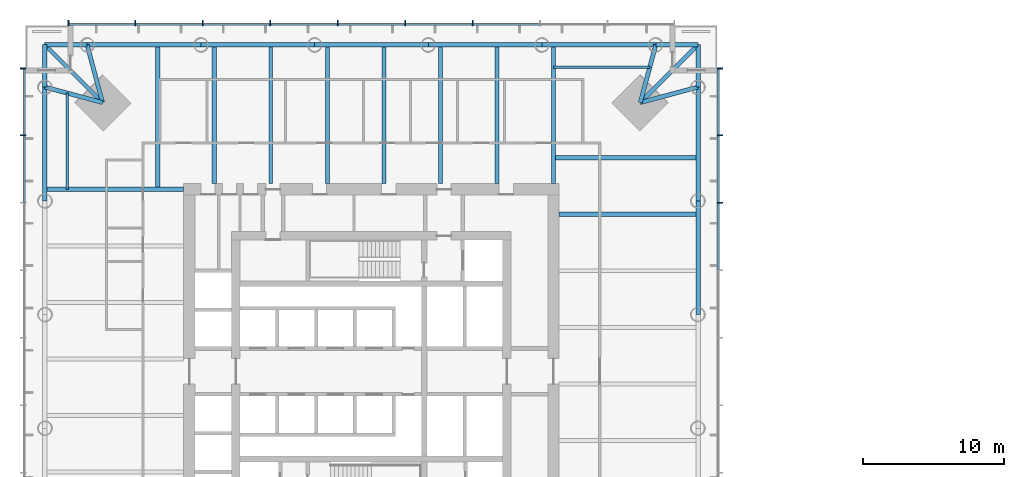
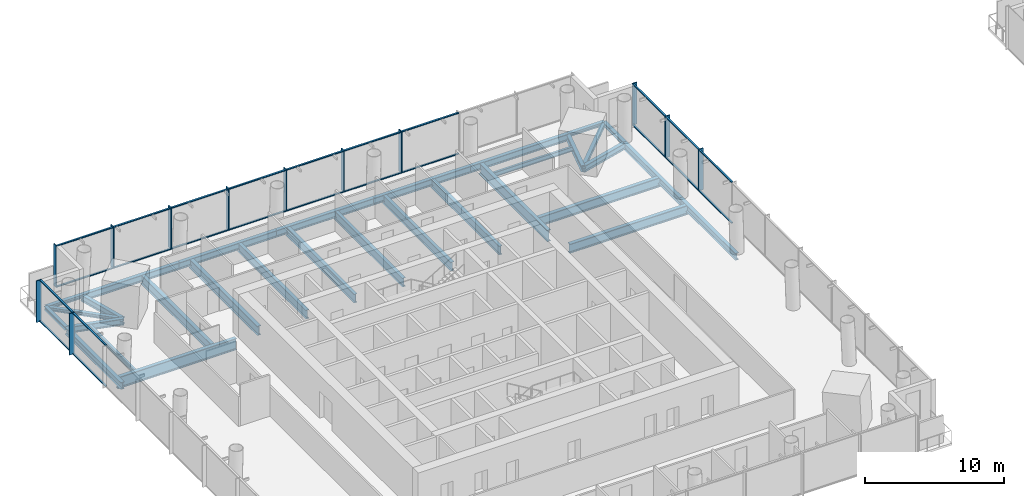
# One storey, part 4 of 21: 36 members, 31 beams, 3 elements without a shape of their own.
"""IFC4 building model written with IfcOpenShell, lengths in metres."""

import ifcopenshell
import ifcopenshell.guid

model = None  # the IFC model being written
_history = None  # IfcOwnerHistory: only IFC2X3 demands one
_inside = {}  # id of a spatial element -> (the spatial element, [elements in it])
_under = {}  # id of a project, library or spatial element -> (it, [spatial elements below it])
_declared = {}  # id of a project -> (the project, [libraries it declares])
_typed = {}  # id of a type object -> (the type object, [elements of that type])
_made_of = {}  # id of a material, layer set ... -> (it, [elements and type objects made of it])


def new_model(schema):
    """Start an empty IFC model of exactly this schema.

    Asked for "IFC4X3", IfcOpenShell would pick the latest addendum, in which some entities
    have other attributes; the version numbers below select the first issue.
    IFC2X3 requires an IfcOwnerHistory on every rooted entity: one is made here for all.
    """
    global model, _history
    if schema == "IFC4X3":
        model = ifcopenshell.file(schema_version=(4, 3, 0, 0))
    else:
        model = ifcopenshell.file(schema=schema)
    _inside.clear()
    _under.clear()
    _declared.clear()
    _typed.clear()
    _made_of.clear()
    _history = None
    if model.schema == "IFC2X3":
        org = make("IfcOrganization", Name="unknown")
        user = make(
            "IfcPersonAndOrganization",
            ThePerson=make("IfcPerson", FamilyName="unknown"),
            TheOrganization=org,
        )
        app = make(
            "IfcApplication",
            ApplicationDeveloper=org,
            Version="unknown",
            ApplicationFullName="unknown",
            ApplicationIdentifier="unknown",
        )
        _history = make(
            "IfcOwnerHistory",
            OwningUser=user,
            OwningApplication=app,
            ChangeAction="ADDED",
            CreationDate=0,
        )
    return model


def make(cls, **values):
    """One entity of the class cls with the attributes given. An attribute that is None is left unset."""
    return model.create_entity(
        cls, **{name: value for name, value in values.items() if value is not None}
    )


def rooted(cls, **values):
    """An entity with a GlobalId (a new one), such as an element, a storey or a relation."""
    return make(cls, GlobalId=ifcopenshell.guid.new(), OwnerHistory=_history, **values)


def si_unit(unit_type, name, prefix=None):
    """IfcSIUnit, for example si_unit("LENGTHUNIT", "METRE", prefix="MILLI")."""
    return make("IfcSIUnit", UnitType=unit_type, Prefix=prefix, Name=name)


def assignment(units):
    """IfcUnitAssignment: the units of a project."""
    return None if units is None else make("IfcUnitAssignment", Units=units)


def point(xyz):
    """IfcCartesianPoint."""
    return None if xyz is None else make("IfcCartesianPoint", Coordinates=xyz)


def direction(xyz):
    """IfcDirection."""
    return None if xyz is None else make("IfcDirection", DirectionRatios=xyz)


def frame(location, z_axis=None, x_axis=None):
    """IfcAxis2Placement3D, a coordinate frame: its origin and axes. An axis left out is left unset."""
    return make(
        "IfcAxis2Placement3D",
        Location=point(location),
        Axis=direction(z_axis),
        RefDirection=direction(x_axis),
    )


def frame_2d(location, x_axis=None):
    """IfcAxis2Placement2D, a coordinate frame in the plane: its origin and x axis."""
    return make(
        "IfcAxis2Placement2D", Location=point(location), RefDirection=direction(x_axis)
    )


def origin():
    """The frame at (0, 0, 0) with its axes left unset."""
    return frame((0.0, 0.0, 0.0))


def origin_2d():
    """The frame at (0, 0) in the plane with its x axis left unset."""
    return frame_2d((0.0, 0.0))


def place(relative_to, where):
    """IfcLocalPlacement: puts the frame where relative to a parent placement (None: the world)."""
    return make(
        "IfcLocalPlacement", PlacementRelTo=relative_to, RelativePlacement=where
    )


def context(
    kind, dimensions, precision=None, world=None, true_north=None, identifier=None
):
    """IfcGeometricRepresentationContext, for example the 3D "Model" context."""
    return make(
        "IfcGeometricRepresentationContext",
        ContextIdentifier=identifier,
        ContextType=kind,
        CoordinateSpaceDimension=dimensions,
        Precision=precision,
        WorldCoordinateSystem=world,
        TrueNorth=true_north,
    )


def subcontext(parent, identifier, kind, view, scale=None):
    """IfcGeometricRepresentationSubContext, for example "Body" below "Model"."""
    return make(
        "IfcGeometricRepresentationSubContext",
        ContextIdentifier=identifier,
        ContextType=kind,
        ParentContext=parent,
        TargetScale=scale,
        TargetView=view,
    )


def project(units=None, contexts=None):
    """IfcProject with its units and contexts."""
    return rooted(
        "IfcProject",
        Name="project",
        RepresentationContexts=contexts,
        UnitsInContext=assignment(units),
    )


def spatial(cls, under=None, at=None, **own):
    """A site, building, storey or space (cls), placed at a placement, below another one or the project."""
    s = rooted(cls, ObjectPlacement=at, **own)
    if under is not None:
        _under.setdefault(under.id(), (under, []))[1].append(s)
    return s


def profile(cls, at=None, kind="AREA", **sizes):
    """A parametric profile (cls). Its sizes go by their IFC names, for example OverallWidth=200.0."""
    return make(cls, ProfileType=kind, Position=at, **sizes)


def rectangle(**sizes):
    """IfcRectangleProfileDef."""
    return profile("IfcRectangleProfileDef", **sizes)


def i_section(**sizes):
    """IfcIShapeProfileDef."""
    return profile("IfcIShapeProfileDef", **sizes)


def extrude(swept, where, along, depth):
    """IfcExtrudedAreaSolid: the profile swept, set in the frame where, extruded along a direction by depth."""
    return make(
        "IfcExtrudedAreaSolid",
        SweptArea=swept,
        Position=where,
        ExtrudedDirection=direction(along),
        Depth=depth,
    )


def shape(context_of_items, identifier, shape_type, items):
    """IfcShapeRepresentation: the items that make up one representation, for example the "Body"."""
    return make(
        "IfcShapeRepresentation",
        ContextOfItems=context_of_items,
        RepresentationIdentifier=identifier,
        RepresentationType=shape_type,
        Items=items,
    )


def material(Name=None, Category=None):
    """IfcMaterial."""
    return make("IfcMaterial", Name=Name, Category=Category)


def material_profile(
    of_material, cross_section, Name=None, Category=None, Priority=None
):
    """IfcMaterialProfile: a cross section and its material."""
    return make(
        "IfcMaterialProfile",
        Name=Name,
        Material=of_material,
        Profile=cross_section,
        Priority=Priority,
        Category=Category,
    )


def profile_set(profiles, Name=None, composite=None):
    """IfcMaterialProfileSet."""
    return make(
        "IfcMaterialProfileSet",
        Name=Name,
        MaterialProfiles=profiles,
        CompositeProfile=composite,
    )


def made_of(thing, what):
    """Note that an element or type object is made of a material, layer set ...; save() writes the relation."""
    if what is not None:
        _made_of.setdefault(what.id(), (what, []))[1].append(thing)
    return thing


def type_object(cls, material=None, **own):
    """A type object (cls), such as IfcWallType, which elements share."""
    return made_of(rooted(cls, **own), material)


def element(
    cls,
    number,
    at=None,
    inside=None,
    cuts=None,
    type_object=None,
    material=None,
    context=None,
    identifier="Body",
    shape_type=None,
    held_by="IfcProductDefinitionShape",
    body=None,
    shapes=None,
    **own,
):
    """One element of the class cls, such as IfcWall. Its Tag is "e" and its number.

    at: its placement. inside: the storey or other place that contains it. cuts: it is an
    opening in that element (IfcRelVoidsElement). A single representation is given by context,
    identifier, shape_type and body (its items); several are given by shapes. held_by: the class
    of the entity that holds the representations. save() writes the other relations.
    """
    e = rooted(cls, Tag="e%d" % number, ObjectPlacement=at, **own)
    if body is not None:
        shapes = [shape(context, identifier, shape_type, body)]
    if shapes is not None:
        e.Representation = make(held_by, Representations=shapes)
    if inside is not None:
        _inside.setdefault(inside.id(), (inside, []))[1].append(e)
    if cuts is not None:
        rooted(
            "IfcRelVoidsElement", RelatingBuildingElement=cuts, RelatedOpeningElement=e
        )
    if type_object is not None:
        _typed.setdefault(type_object.id(), (type_object, []))[1].append(e)
    return made_of(e, material)


def aggregate(whole, parts):
    """IfcRelAggregates: a whole, such as a stair, and the parts it consists of."""
    return rooted("IfcRelAggregates", RelatingObject=whole, RelatedObjects=parts)


def save(model, path):
    """Write the relations noted so far, then the file.

    IfcRelAggregates (storeys below a building ...), IfcRelContainedInSpatialStructure (elements
    in a storey), IfcRelDefinesByType, IfcRelAssociatesMaterial and IfcRelDeclares: one each for
    every whole, place, type object, material and project.
    """
    for whole, parts in _under.values():
        aggregate(whole, parts)
    for where, things in _inside.values():
        rooted(
            "IfcRelContainedInSpatialStructure",
            RelatedElements=things,
            RelatingStructure=where,
        )
    for kind, things in _typed.values():
        rooted("IfcRelDefinesByType", RelatedObjects=things, RelatingType=kind)
    for what, things in _made_of.values():
        rooted("IfcRelAssociatesMaterial", RelatedObjects=things, RelatingMaterial=what)
    for by, libraries in _declared.values():
        rooted("IfcRelDeclares", RelatingContext=by, RelatedDefinitions=libraries)
    model.write(path)


model = new_model("IFC4")

# Units and contexts
model_context = context("Model", 3, precision=1e-05, world=origin(), true_north=direction((0.0, 1.0)))
body_context = subcontext(model_context, "Body", "Model", "MODEL_VIEW")
ifc_project = project(units=[si_unit("LENGTHUNIT", "METRE"), si_unit("AREAUNIT", "SQUARE_METRE"), si_unit("VOLUMEUNIT", "CUBIC_METRE"), si_unit("PLANEANGLEUNIT", "RADIAN"), si_unit("MASSUNIT", "GRAM", prefix="KILO")], contexts=[model_context])

# Site, building, storey
site_placement = place(None, origin())
site = spatial("IfcSite", under=ifc_project, at=site_placement, CompositionType="ELEMENT")
building_placement = place(site_placement, origin())
building = spatial("IfcBuilding", under=site, at=building_placement, Name="Ostroluk Exchange", CompositionType="ELEMENT")
storey_placement = place(building_placement, frame((0.0, 0.0, 47.60009765625)))
storey = spatial("IfcBuildingStorey", under=building, at=storey_placement, Name="L11", CompositionType="ELEMENT", Elevation=47.60009765625)

# Beams
ifc_material_1 = material(Name="Steel S355", Category="steel")
ifc_material_profile_1 = material_profile(ifc_material_1, i_section(OverallWidth=0.300048828125, OverallDepth=0.300048828125, WebThickness=0.010986328125, FlangeThickness=0.01904296875, FilletRadius=0.027099609375, at=origin_2d()), Name="HEB 300")
ifc_profile_set_1 = profile_set([ifc_material_profile_1], Name="Steel S355")
beam_type_1 = type_object("IfcBeamType", Name="Balcony beam HEB 300", PredefinedType="BEAM", material=ifc_profile_set_1)
for number, where, z_axis, x_axis, name in (
    (1, (68.14990234375, 66.14990234375, -0.330078125), (0.0, 1.0, 0.0), (-1.0, 0.0, 0.0), "T1 east balcony beam a"),
    (2, (65.14990234375, 69.14990234375, -0.330078125), (1.0, 0.0, 0.0), (0.0, 1.0, 0.0), "T1 east balcony beam b"),
):
    element("IfcBeam", number, at=place(storey_placement, frame(where, z_axis=z_axis, x_axis=x_axis)), inside=storey, type_object=beam_type_1, Name=name, PredefinedType="BEAM", context=body_context, shape_type="SweptSolid", body=[
        extrude(i_section(OverallWidth=0.300048828125, OverallDepth=0.300048828125, WebThickness=0.010986328125, FlangeThickness=0.01904296875, FilletRadius=0.027099609375, at=origin_2d()), origin(), (0.0, 0.0, 1.0), 3.0),
    ])
beam_1_placement = place(storey_placement, frame((64.050048828125, 65.050048828125, -0.330078125), z_axis=(0.707106781187, 0.707106781187, 0.0), x_axis=(-0.707106781187, 0.707106781187, 0.0)))
element("IfcBeam", 3, at=beam_1_placement, inside=storey, type_object=beam_type_1, Name="T1 east balcony beam c", PredefinedType="BEAM", context=body_context, shape_type="SweptSolid", body=[
    extrude(i_section(OverallWidth=0.300048828125, OverallDepth=0.300048828125, WebThickness=0.010986328125, FlangeThickness=0.01904296875, FilletRadius=0.027099609375, at=origin_2d()), origin(), (0.0, 0.0, 1.0), 5.798095703125),
])
for number, where, z_axis, x_axis, name in (
    (4, (24.85009765625, 69.14990234375, -0.330078125), (-1.0, 0.0, 0.0), (0.0, -1.0, 0.0), "T1 north balcony beam a"),
    (5, (21.85009765625, 66.14990234375, -0.330078125), (0.0, 1.0, 0.0), (-1.0, 0.0, 0.0), "T1 north balcony beam b"),
):
    element("IfcBeam", number, at=place(storey_placement, frame(where, z_axis=z_axis, x_axis=x_axis)), inside=storey, type_object=beam_type_1, Name=name, PredefinedType="BEAM", context=body_context, shape_type="SweptSolid", body=[
        extrude(i_section(OverallWidth=0.300048828125, OverallDepth=0.300048828125, WebThickness=0.010986328125, FlangeThickness=0.01904296875, FilletRadius=0.027099609375, at=origin_2d()), origin(), (0.0, 0.0, 1.0), 3.0),
    ])
beam_2_placement = place(storey_placement, frame((25.949951171875, 65.050048828125, -0.330078125), z_axis=(-0.707106781187, 0.707106781187, 0.0), x_axis=(-0.707106781187, -0.707106781187, 0.0)))
element("IfcBeam", 6, at=beam_2_placement, inside=storey, type_object=beam_type_1, Name="T1 north balcony beam c", PredefinedType="BEAM", context=body_context, shape_type="SweptSolid", body=[
    extrude(i_section(OverallWidth=0.300048828125, OverallDepth=0.300048828125, WebThickness=0.010986328125, FlangeThickness=0.01904296875, FilletRadius=0.027099609375, at=origin_2d()), origin(), (0.0, 0.0, 1.0), 5.798095703125),
])
ifc_material_2 = material(Name="Steel S355", Category="steel")
ifc_material_profile_2 = material_profile(ifc_material_2, i_section(OverallWidth=0.300048828125, OverallDepth=0.550048828125, WebThickness=0.014892578125, FlangeThickness=0.029052734375, FilletRadius=0.027099609375, at=origin_2d()), Name="HEB 550")
ifc_profile_set_2 = profile_set([ifc_material_profile_2], Name="Steel S355")
beam_type_2 = type_object("IfcBeamType", Name="Corner edge beam HEB 550", PredefinedType="SPANDREL", material=ifc_profile_set_2)
for number, where, z_axis, x_axis, name in (
    (7, (64.050048828125, 65.050048828125, -0.455078125), (0.965849156574, 0.259105011038, 0.0), (-0.259105011038, 0.965849156574, 0.0), "T1 east corner edge beam a"),
    (8, (64.050048828125, 65.050048828125, -0.455078125), (0.259105011038, 0.965849156574, 0.0), (-0.965849156574, 0.259105011038, 0.0), "T1 east corner edge beam b"),
    (9, (25.949951171875, 65.050048828125, -0.455078125), (-0.259105011038, 0.965849156574, 0.0), (-0.965849156574, -0.259105011038, 0.0), "T1 north corner edge beam a"),
    (10, (25.949951171875, 65.050048828125, -0.455078125), (-0.965849156574, 0.259105011038, 0.0), (-0.259105011038, -0.965849156574, 0.0), "T1 north corner edge beam b"),
):
    element("IfcBeam", number, at=place(storey_placement, frame(where, z_axis=z_axis, x_axis=x_axis)), inside=storey, type_object=beam_type_2, Name=name, PredefinedType="SPANDREL", context=body_context, shape_type="SweptSolid", body=[
        extrude(i_section(OverallWidth=0.300048828125, OverallDepth=0.550048828125, WebThickness=0.014892578125, FlangeThickness=0.029052734375, FilletRadius=0.027099609375, at=origin_2d()), origin(), (0.0, 0.0, 1.0), 4.244873046875),
    ])
ifc_material_3 = material(Name="Steel S355", Category="steel")
ifc_material_profile_3 = material_profile(ifc_material_3, i_section(OverallWidth=0.302978515625, OverallDepth=0.81396484375, WebThickness=0.02099609375, FlangeThickness=0.0400390625, FilletRadius=0.030029296875, at=origin_2d()), Name="HEM 800")
ifc_profile_set_3 = profile_set([ifc_material_profile_3], Name="Steel S355")
beam_type_3 = type_object("IfcBeamType", Name="Floor beam HEM 800", PredefinedType="BEAM", material=ifc_profile_set_3)
beam_3_placement = place(storey_placement, frame((58.300048828125, 57.13330078125, -0.587158203125), z_axis=(1.0, 0.0, 0.0), x_axis=(0.0, 1.0, 0.0)))
element("IfcBeam", 11, at=beam_3_placement, inside=storey, type_object=beam_type_3, Name="T1 east floor beam 6", PredefinedType="BEAM", context=body_context, shape_type="SweptSolid", body=[
    extrude(i_section(OverallWidth=0.302978515625, OverallDepth=0.81396484375, WebThickness=0.02099609375, FlangeThickness=0.0400390625, FilletRadius=0.030029296875, at=origin_2d()), origin(), (0.0, 0.0, 1.0), 9.849853515625),
])
beam_4_placement = place(storey_placement, frame((57.89990234375, 61.138916015625, -0.587158203125), z_axis=(1.0, 0.0, 0.0), x_axis=(0.0, 1.0, 0.0)))
element("IfcBeam", 12, at=beam_4_placement, inside=storey, type_object=beam_type_3, Name="T1 east floor beam 7", PredefinedType="BEAM", context=body_context, shape_type="SweptSolid", body=[
    extrude(i_section(OverallWidth=0.302978515625, OverallDepth=0.81396484375, WebThickness=0.02099609375, FlangeThickness=0.0400390625, FilletRadius=0.030029296875, at=origin_2d()), origin(), (0.0, 0.0, 1.0), 10.25),
])
beam_5_placement = place(storey_placement, frame((33.86669921875, 59.300048828125, -0.587158203125), z_axis=(0.0, 1.0, 0.0), x_axis=(-1.0, 0.0, 0.0)))
element("IfcBeam", 13, at=beam_5_placement, inside=storey, type_object=beam_type_3, Name="T1 north floor beam 6", PredefinedType="BEAM", context=body_context, shape_type="SweptSolid", body=[
    extrude(i_section(OverallWidth=0.302978515625, OverallDepth=0.81396484375, WebThickness=0.02099609375, FlangeThickness=0.0400390625, FilletRadius=0.030029296875, at=origin_2d()), origin(), (0.0, 0.0, 1.0), 9.849853515625),
])
beam_6_placement = place(storey_placement, frame((29.861083984375, 58.89990234375, -0.587158203125), z_axis=(0.0, 1.0, 0.0), x_axis=(-1.0, 0.0, 0.0)))
element("IfcBeam", 14, at=beam_6_placement, inside=storey, type_object=beam_type_3, Name="T1 north floor beam 7", PredefinedType="BEAM", context=body_context, shape_type="SweptSolid", body=[
    extrude(i_section(OverallWidth=0.302978515625, OverallDepth=0.81396484375, WebThickness=0.02099609375, FlangeThickness=0.0400390625, FilletRadius=0.030029296875, at=origin_2d()), origin(), (0.0, 0.0, 1.0), 10.25),
])
ifc_material_4 = material(Name="Steel S355", Category="steel")
ifc_material_profile_4 = material_profile(ifc_material_4, i_section(OverallWidth=0.179931640625, OverallDepth=0.39990234375, WebThickness=0.008544921875, FlangeThickness=0.013427734375, FilletRadius=0.02099609375, at=origin_2d()), Name="IPE 400")
ifc_profile_set_4 = profile_set([ifc_material_profile_4], Name="Steel S355")
beam_type_4 = type_object("IfcBeamType", Name="Floor beam IPE 400", PredefinedType="BEAM", material=ifc_profile_set_4)
for number, where, z_axis, x_axis, name in (
    (15, (57.89990234375, 67.550048828125, -0.380126953125), (1.0, 0.0, 0.0), (0.0, 1.0, 0.0), "T1 east floor beam 8"),
    (16, (23.449951171875, 58.89990234375, -0.380126953125), (0.0, 1.0, 0.0), (-1.0, 0.0, 0.0), "T1 north floor beam 8"),
):
    element("IfcBeam", number, at=place(storey_placement, frame(where, z_axis=z_axis, x_axis=x_axis)), inside=storey, type_object=beam_type_4, Name=name, PredefinedType="BEAM", context=body_context, shape_type="SweptSolid", body=[
        extrude(i_section(OverallWidth=0.179931640625, OverallDepth=0.39990234375, WebThickness=0.008544921875, FlangeThickness=0.013427734375, FilletRadius=0.02099609375, at=origin_2d()), origin(), (0.0, 0.0, 1.0), 6.82080078125),
    ])
ifc_material_5 = material(Name="Steel S355", Category="steel")
ifc_material_profile_5 = material_profile(ifc_material_5, i_section(OverallWidth=0.26806640625, OverallDepth=0.77001953125, WebThickness=0.015625, FlangeThickness=0.025390625, FilletRadius=0.01708984375, at=origin_2d()), Name="IPE 750x196")
ifc_profile_set_5 = profile_set([ifc_material_profile_5], Name="Steel S355")
beam_type_5 = type_object("IfcBeamType", Name="Floor beam IPE 750x196", PredefinedType="BEAM", material=ifc_profile_set_5)
for number, where, z_axis, x_axis, name in (
    (17, (53.89453125, 59.300048828125, -0.565185546875), (0.0, 1.0, 0.0), (-1.0, 0.0, 0.0), "T1 north floor beam 1"),
    (18, (49.888916015625, 59.300048828125, -0.565185546875), (0.0, 1.0, 0.0), (-1.0, 0.0, 0.0), "T1 north floor beam 2"),
    (19, (45.88330078125, 59.300048828125, -0.565185546875), (0.0, 1.0, 0.0), (-1.0, 0.0, 0.0), "T1 north floor beam 3"),
    (20, (41.877685546875, 59.300048828125, -0.565185546875), (0.0, 1.0, 0.0), (-1.0, 0.0, 0.0), "T1 north floor beam 4"),
    (21, (37.872314453125, 59.300048828125, -0.565185546875), (0.0, 1.0, 0.0), (-1.0, 0.0, 0.0), "T1 north floor beam 5"),
):
    element("IfcBeam", number, at=place(storey_placement, frame(where, z_axis=z_axis, x_axis=x_axis)), inside=storey, type_object=beam_type_5, Name=name, PredefinedType="BEAM", context=body_context, shape_type="SweptSolid", body=[
        extrude(i_section(OverallWidth=0.26806640625, OverallDepth=0.77001953125, WebThickness=0.015625, FlangeThickness=0.025390625, FilletRadius=0.01708984375, at=origin_2d()), origin(), (0.0, 0.0, 1.0), 9.849853515625),
    ])
ifc_material_6 = material(Name="Steel S355", Category="steel")
ifc_material_profile_6 = material_profile(ifc_material_6, i_section(OverallWidth=0.302001953125, OverallDepth=1.008056640625, WebThickness=0.02099609375, FlangeThickness=0.0400390625, FilletRadius=0.030029296875, at=origin_2d()), Name="HEM 1000")
ifc_profile_set_6 = profile_set([ifc_material_profile_6], Name="Steel S355")
beam_type_6 = type_object("IfcBeamType", Name="Girder HEM 1000", PredefinedType="BEAM", material=ifc_profile_set_6)
for number, where, z_axis, x_axis, name in (
    (22, (57.89990234375, 59.300048828125, -0.68408203125), (0.0, 1.0, 0.0), (-1.0, 0.0, 0.0), "T1 east girder"),
    (23, (31.699951171875, 58.89990234375, -0.68408203125), (-1.0, 0.0, 0.0), (0.0, -1.0, 0.0), "T1 north girder"),
):
    element("IfcBeam", number, at=place(storey_placement, frame(where, z_axis=z_axis, x_axis=x_axis)), inside=storey, type_object=beam_type_6, Name=name, PredefinedType="BEAM", context=body_context, shape_type="SweptSolid", body=[
        extrude(i_section(OverallWidth=0.302001953125, OverallDepth=1.008056640625, WebThickness=0.02099609375, FlangeThickness=0.0400390625, FilletRadius=0.030029296875, at=origin_2d()), origin(), (0.0, 0.0, 1.0), 9.849853515625),
    ])
ifc_material_7 = material(Name="Steel S355", Category="steel")
ifc_material_profile_7 = material_profile(ifc_material_7, i_section(OverallWidth=0.300048828125, OverallDepth=0.60009765625, WebThickness=0.015380859375, FlangeThickness=0.030029296875, FilletRadius=0.027099609375, at=origin_2d()), Name="HEB 600")
ifc_profile_set_7 = profile_set([ifc_material_profile_7], Name="Steel S355")
beam_type_7 = type_object("IfcBeamType", Name="Moment-connected edge beam HEB 600", PredefinedType="SPANDREL", material=ifc_profile_set_7)
beam_7_placement = place(storey_placement, frame((68.14990234375, 50.030029296875, -0.47998046875), z_axis=(0.0, 1.0, 0.0), x_axis=(-1.0, 0.0, 0.0)))
element("IfcBeam", 24, at=beam_7_placement, inside=storey, type_object=beam_type_7, Name="T1 east edge beam 4", PredefinedType="SPANDREL", context=body_context, shape_type="SweptSolid", body=[
    extrude(i_section(OverallWidth=0.300048828125, OverallDepth=0.60009765625, WebThickness=0.015380859375, FlangeThickness=0.030029296875, FilletRadius=0.027099609375, at=origin_2d()), origin(), (0.0, 0.0, 1.0), 8.06005859375),
])
for number, where, z_axis, x_axis, name in (
    (25, (68.14990234375, 58.090087890625, -0.47998046875), (0.0, 1.0, 0.0), (-1.0, 0.0, 0.0), "T1 east edge beam 5"),
    (26, (65.14990234375, 69.14990234375, -0.47998046875), (-1.0, 0.0, 0.0), (0.0, -1.0, 0.0), "T1 north edge beam 1"),
):
    element("IfcBeam", number, at=place(storey_placement, frame(where, z_axis=z_axis, x_axis=x_axis)), inside=storey, type_object=beam_type_7, Name=name, PredefinedType="SPANDREL", context=body_context, shape_type="SweptSolid", body=[
        extrude(i_section(OverallWidth=0.300048828125, OverallDepth=0.60009765625, WebThickness=0.015380859375, FlangeThickness=0.030029296875, FilletRadius=0.027099609375, at=origin_2d()), origin(), (0.0, 0.0, 1.0), 8.059814453125),
    ])
for number, where, z_axis, x_axis, name in (
    (27, (57.090087890625, 69.14990234375, -0.47998046875), (-1.0, 0.0, 0.0), (0.0, -1.0, 0.0), "T1 north edge beam 2"),
    (28, (49.030029296875, 69.14990234375, -0.47998046875), (-1.0, 0.0, 0.0), (0.0, -1.0, 0.0), "T1 north edge beam 3"),
    (29, (40.969970703125, 69.14990234375, -0.47998046875), (-1.0, 0.0, 0.0), (0.0, -1.0, 0.0), "T1 north edge beam 4"),
):
    element("IfcBeam", number, at=place(storey_placement, frame(where, z_axis=z_axis, x_axis=x_axis)), inside=storey, type_object=beam_type_7, Name=name, PredefinedType="SPANDREL", context=body_context, shape_type="SweptSolid", body=[
        extrude(i_section(OverallWidth=0.300048828125, OverallDepth=0.60009765625, WebThickness=0.015380859375, FlangeThickness=0.030029296875, FilletRadius=0.027099609375, at=origin_2d()), origin(), (0.0, 0.0, 1.0), 8.06005859375),
    ])
for number, where, z_axis, x_axis, name in (
    (30, (32.909912109375, 69.14990234375, -0.47998046875), (-1.0, 0.0, 0.0), (0.0, -1.0, 0.0), "T1 north edge beam 5"),
    (31, (21.85009765625, 66.14990234375, -0.47998046875), (0.0, -1.0, 0.0), (1.0, 0.0, 0.0), "T1 west edge beam 1"),
):
    element("IfcBeam", number, at=place(storey_placement, frame(where, z_axis=z_axis, x_axis=x_axis)), inside=storey, type_object=beam_type_7, Name=name, PredefinedType="SPANDREL", context=body_context, shape_type="SweptSolid", body=[
        extrude(i_section(OverallWidth=0.300048828125, OverallDepth=0.60009765625, WebThickness=0.015380859375, FlangeThickness=0.030029296875, FilletRadius=0.027099609375, at=origin_2d()), origin(), (0.0, 0.0, 1.0), 8.059814453125),
    ])

# Curtain wall, members
ifc_material_8 = material(Name="Laminated clear glass", Category="glass")
curtain_wall_type = type_object("IfcCurtainWallType", Name="Office tower facade", PredefinedType="USERDEFINED", material=ifc_material_8)
curtain_wall_1_placement = place(storey_placement, origin())
curtain_wall_1 = element("IfcCurtainWall", 32, at=curtain_wall_1_placement, inside=storey, type_object=curtain_wall_type, Name="Office tower east facade L11", ObjectType="UNITISED CURTAIN WALL", PredefinedType="USERDEFINED")
ifc_material_9 = material(Name="Aluminium mullion", Category="aluminium")
ifc_material_profile_8 = material_profile(ifc_material_9, rectangle(XDim=0.14990234375, YDim=0.080078125, at=origin_2d()), Name="Sill transom 80 x 150")
ifc_profile_set_8 = profile_set([ifc_material_profile_8], Name="Aluminium mullion")
member_type_1 = type_object("IfcMemberType", Name="Sill transom 80 x 150", PredefinedType="USERDEFINED", material=ifc_profile_set_8)
member_1_placement = place(storey_placement, frame((69.574951171875, 53.206787109375, 0.039794921875), z_axis=(0.0, 1.0, 0.0), x_axis=(-1.0, 0.0, 0.0)))
member_1 = element("IfcMember", 33, at=member_1_placement, type_object=member_type_1, Name="CW-O1 transom 7.1", ObjectType="TRANSOM", PredefinedType="USERDEFINED", context=body_context, shape_type="SweptSolid", body=[
    extrude(rectangle(XDim=0.14990234375, YDim=0.080078125, at=origin_2d()), origin(), (0.0, 0.0, 1.0), 4.69775390625),
])
member_2_placement = place(storey_placement, frame((69.574951171875, 53.206787109375, 3.60986328125), z_axis=(0.0, 1.0, 0.0), x_axis=(-1.0, 0.0, 0.0)))
member_2 = element("IfcMember", 34, at=member_2_placement, type_object=member_type_1, Name="CW-O1 transom 7.2", ObjectType="TRANSOM", PredefinedType="USERDEFINED", context=body_context, shape_type="SweptSolid", body=[
    extrude(rectangle(XDim=0.14990234375, YDim=0.080078125, at=origin_2d()), origin(), (0.0, 0.0, 1.0), 4.69775390625),
])
member_3_placement = place(storey_placement, frame((69.574951171875, 57.984375, 0.039794921875), z_axis=(0.0, 1.0, 0.0), x_axis=(-1.0, 0.0, 0.0)))
member_3 = element("IfcMember", 35, at=member_3_placement, type_object=member_type_1, Name="CW-O1 transom 8.1", ObjectType="TRANSOM", PredefinedType="USERDEFINED", context=body_context, shape_type="SweptSolid", body=[
    extrude(rectangle(XDim=0.14990234375, YDim=0.080078125, at=origin_2d()), origin(), (0.0, 0.0, 1.0), 4.69775390625),
])
member_4_placement = place(storey_placement, frame((69.574951171875, 57.984375, 3.60986328125), z_axis=(0.0, 1.0, 0.0), x_axis=(-1.0, 0.0, 0.0)))
member_4 = element("IfcMember", 36, at=member_4_placement, type_object=member_type_1, Name="CW-O1 transom 8.2", ObjectType="TRANSOM", PredefinedType="USERDEFINED", context=body_context, shape_type="SweptSolid", body=[
    extrude(rectangle(XDim=0.14990234375, YDim=0.080078125, at=origin_2d()), origin(), (0.0, 0.0, 1.0), 4.69775390625),
])
member_5_placement = place(storey_placement, frame((69.574951171875, 62.76220703125, 0.039794921875), z_axis=(0.0, 1.0, 0.0), x_axis=(-1.0, 0.0, 0.0)))
member_5 = element("IfcMember", 37, at=member_5_placement, type_object=member_type_1, Name="CW-O1 transom 9.1", ObjectType="TRANSOM", PredefinedType="USERDEFINED", context=body_context, shape_type="SweptSolid", body=[
    extrude(rectangle(XDim=0.14990234375, YDim=0.080078125, at=origin_2d()), origin(), (0.0, 0.0, 1.0), 4.65771484375),
])
member_6_placement = place(storey_placement, frame((69.574951171875, 62.76220703125, 3.60986328125), z_axis=(0.0, 1.0, 0.0), x_axis=(-1.0, 0.0, 0.0)))
member_6 = element("IfcMember", 38, at=member_6_placement, type_object=member_type_1, Name="CW-O1 transom 9.2", ObjectType="TRANSOM", PredefinedType="USERDEFINED", context=body_context, shape_type="SweptSolid", body=[
    extrude(rectangle(XDim=0.14990234375, YDim=0.080078125, at=origin_2d()), origin(), (0.0, 0.0, 1.0), 4.65771484375),
])

curtain_wall_2_placement = place(storey_placement, origin())
curtain_wall_2 = element("IfcCurtainWall", 39, at=curtain_wall_2_placement, inside=storey, type_object=curtain_wall_type, Name="Office tower north facade L11", ObjectType="UNITISED CURTAIN WALL", PredefinedType="USERDEFINED")
member_7_placement = place(storey_placement, frame((56.904541015625, 70.574951171875, 0.039794921875), z_axis=(-1.0, 0.0, 0.0), x_axis=(0.0, -1.0, 0.0)))
member_7 = element("IfcMember", 40, at=member_7_placement, type_object=member_type_1, Name="CW-O1 transom 3.1", ObjectType="TRANSOM", PredefinedType="USERDEFINED", context=body_context, shape_type="SweptSolid", body=[
    extrude(rectangle(XDim=0.14990234375, YDim=0.080078125, at=origin_2d()), origin(), (0.0, 0.0, 1.0), 4.69775390625),
])
member_8_placement = place(storey_placement, frame((56.904541015625, 70.574951171875, 3.60986328125), z_axis=(-1.0, 0.0, 0.0), x_axis=(0.0, -1.0, 0.0)))
member_8 = element("IfcMember", 41, at=member_8_placement, type_object=member_type_1, Name="CW-O1 transom 3.2", ObjectType="TRANSOM", PredefinedType="USERDEFINED", context=body_context, shape_type="SweptSolid", body=[
    extrude(rectangle(XDim=0.14990234375, YDim=0.080078125, at=origin_2d()), origin(), (0.0, 0.0, 1.0), 4.69775390625),
])
member_9_placement = place(storey_placement, frame((52.126708984375, 70.574951171875, 0.039794921875), z_axis=(-1.0, 0.0, 0.0), x_axis=(0.0, -1.0, 0.0)))
member_9 = element("IfcMember", 42, at=member_9_placement, type_object=member_type_1, Name="CW-O1 transom 4.1", ObjectType="TRANSOM", PredefinedType="USERDEFINED", context=body_context, shape_type="SweptSolid", body=[
    extrude(rectangle(XDim=0.14990234375, YDim=0.080078125, at=origin_2d()), origin(), (0.0, 0.0, 1.0), 4.69775390625),
])
member_10_placement = place(storey_placement, frame((52.126708984375, 70.574951171875, 3.60986328125), z_axis=(-1.0, 0.0, 0.0), x_axis=(0.0, -1.0, 0.0)))
member_10 = element("IfcMember", 43, at=member_10_placement, type_object=member_type_1, Name="CW-O1 transom 4.2", ObjectType="TRANSOM", PredefinedType="USERDEFINED", context=body_context, shape_type="SweptSolid", body=[
    extrude(rectangle(XDim=0.14990234375, YDim=0.080078125, at=origin_2d()), origin(), (0.0, 0.0, 1.0), 4.69775390625),
])
member_11_placement = place(storey_placement, frame((47.348876953125, 70.574951171875, 0.039794921875), z_axis=(-1.0, 0.0, 0.0), x_axis=(0.0, -1.0, 0.0)))
member_11 = element("IfcMember", 44, at=member_11_placement, type_object=member_type_1, Name="CW-O1 transom 5.1", ObjectType="TRANSOM", PredefinedType="USERDEFINED", context=body_context, shape_type="SweptSolid", body=[
    extrude(rectangle(XDim=0.14990234375, YDim=0.080078125, at=origin_2d()), origin(), (0.0, 0.0, 1.0), 4.69775390625),
])
member_12_placement = place(storey_placement, frame((47.348876953125, 70.574951171875, 3.60986328125), z_axis=(-1.0, 0.0, 0.0), x_axis=(0.0, -1.0, 0.0)))
member_12 = element("IfcMember", 45, at=member_12_placement, type_object=member_type_1, Name="CW-O1 transom 5.2", ObjectType="TRANSOM", PredefinedType="USERDEFINED", context=body_context, shape_type="SweptSolid", body=[
    extrude(rectangle(XDim=0.14990234375, YDim=0.080078125, at=origin_2d()), origin(), (0.0, 0.0, 1.0), 4.69775390625),
])
member_13_placement = place(storey_placement, frame((42.571044921875, 70.574951171875, 0.039794921875), z_axis=(-1.0, 0.0, 0.0), x_axis=(0.0, -1.0, 0.0)))
member_13 = element("IfcMember", 46, at=member_13_placement, type_object=member_type_1, Name="CW-O1 transom 6.1", ObjectType="TRANSOM", PredefinedType="USERDEFINED", context=body_context, shape_type="SweptSolid", body=[
    extrude(rectangle(XDim=0.14990234375, YDim=0.080078125, at=origin_2d()), origin(), (0.0, 0.0, 1.0), 4.69775390625),
])
member_14_placement = place(storey_placement, frame((42.571044921875, 70.574951171875, 3.60986328125), z_axis=(-1.0, 0.0, 0.0), x_axis=(0.0, -1.0, 0.0)))
member_14 = element("IfcMember", 47, at=member_14_placement, type_object=member_type_1, Name="CW-O1 transom 6.2", ObjectType="TRANSOM", PredefinedType="USERDEFINED", context=body_context, shape_type="SweptSolid", body=[
    extrude(rectangle(XDim=0.14990234375, YDim=0.080078125, at=origin_2d()), origin(), (0.0, 0.0, 1.0), 4.69775390625),
])
member_15_placement = place(storey_placement, frame((37.793212890625, 70.574951171875, 0.039794921875), z_axis=(-1.0, 0.0, 0.0), x_axis=(0.0, -1.0, 0.0)))
member_15 = element("IfcMember", 48, at=member_15_placement, type_object=member_type_1, Name="CW-O1 transom 7.1", ObjectType="TRANSOM", PredefinedType="USERDEFINED", context=body_context, shape_type="SweptSolid", body=[
    extrude(rectangle(XDim=0.14990234375, YDim=0.080078125, at=origin_2d()), origin(), (0.0, 0.0, 1.0), 4.69775390625),
])
member_16_placement = place(storey_placement, frame((37.793212890625, 70.574951171875, 3.60986328125), z_axis=(-1.0, 0.0, 0.0), x_axis=(0.0, -1.0, 0.0)))
member_16 = element("IfcMember", 49, at=member_16_placement, type_object=member_type_1, Name="CW-O1 transom 7.2", ObjectType="TRANSOM", PredefinedType="USERDEFINED", context=body_context, shape_type="SweptSolid", body=[
    extrude(rectangle(XDim=0.14990234375, YDim=0.080078125, at=origin_2d()), origin(), (0.0, 0.0, 1.0), 4.69775390625),
])
member_17_placement = place(storey_placement, frame((33.015625, 70.574951171875, 0.039794921875), z_axis=(-1.0, 0.0, 0.0), x_axis=(0.0, -1.0, 0.0)))
member_17 = element("IfcMember", 50, at=member_17_placement, type_object=member_type_1, Name="CW-O1 transom 8.1", ObjectType="TRANSOM", PredefinedType="USERDEFINED", context=body_context, shape_type="SweptSolid", body=[
    extrude(rectangle(XDim=0.14990234375, YDim=0.080078125, at=origin_2d()), origin(), (0.0, 0.0, 1.0), 4.69775390625),
])
member_18_placement = place(storey_placement, frame((33.015625, 70.574951171875, 3.60986328125), z_axis=(-1.0, 0.0, 0.0), x_axis=(0.0, -1.0, 0.0)))
member_18 = element("IfcMember", 51, at=member_18_placement, type_object=member_type_1, Name="CW-O1 transom 8.2", ObjectType="TRANSOM", PredefinedType="USERDEFINED", context=body_context, shape_type="SweptSolid", body=[
    extrude(rectangle(XDim=0.14990234375, YDim=0.080078125, at=origin_2d()), origin(), (0.0, 0.0, 1.0), 4.69775390625),
])
member_19_placement = place(storey_placement, frame((28.23779296875, 70.574951171875, 0.039794921875), z_axis=(-1.0, 0.0, 0.0), x_axis=(0.0, -1.0, 0.0)))
member_19 = element("IfcMember", 52, at=member_19_placement, type_object=member_type_1, Name="CW-O1 transom 9.1", ObjectType="TRANSOM", PredefinedType="USERDEFINED", context=body_context, shape_type="SweptSolid", body=[
    extrude(rectangle(XDim=0.14990234375, YDim=0.080078125, at=origin_2d()), origin(), (0.0, 0.0, 1.0), 4.65771484375),
])
member_20_placement = place(storey_placement, frame((28.23779296875, 70.574951171875, 3.60986328125), z_axis=(-1.0, 0.0, 0.0), x_axis=(0.0, -1.0, 0.0)))
member_20 = element("IfcMember", 53, at=member_20_placement, type_object=member_type_1, Name="CW-O1 transom 9.2", ObjectType="TRANSOM", PredefinedType="USERDEFINED", context=body_context, shape_type="SweptSolid", body=[
    extrude(rectangle(XDim=0.14990234375, YDim=0.080078125, at=origin_2d()), origin(), (0.0, 0.0, 1.0), 4.65771484375),
])

curtain_wall_3_placement = place(storey_placement, origin())
curtain_wall_3 = element("IfcCurtainWall", 54, at=curtain_wall_3_placement, inside=storey, type_object=curtain_wall_type, Name="Office tower west facade L11", ObjectType="UNITISED CURTAIN WALL", PredefinedType="USERDEFINED")
member_21_placement = place(storey_placement, frame((20.425048828125, 67.419921875, 0.039794921875), z_axis=(0.0, -1.0, 0.0), x_axis=(1.0, 0.0, 0.0)))
member_21 = element("IfcMember", 55, at=member_21_placement, type_object=member_type_1, Name="CW-O1 transom 1.1", ObjectType="TRANSOM", PredefinedType="USERDEFINED", context=body_context, shape_type="SweptSolid", body=[
    extrude(rectangle(XDim=0.14990234375, YDim=0.080078125, at=origin_2d()), origin(), (0.0, 0.0, 1.0), 4.65771484375),
])
member_22_placement = place(storey_placement, frame((20.425048828125, 67.419921875, 3.60986328125), z_axis=(0.0, -1.0, 0.0), x_axis=(1.0, 0.0, 0.0)))
member_22 = element("IfcMember", 56, at=member_22_placement, type_object=member_type_1, Name="CW-O1 transom 1.2", ObjectType="TRANSOM", PredefinedType="USERDEFINED", context=body_context, shape_type="SweptSolid", body=[
    extrude(rectangle(XDim=0.14990234375, YDim=0.080078125, at=origin_2d()), origin(), (0.0, 0.0, 1.0), 4.65771484375),
])
member_23_placement = place(storey_placement, frame((20.425048828125, 62.68212890625, 0.039794921875), z_axis=(0.0, -1.0, 0.0), x_axis=(1.0, 0.0, 0.0)))
member_23 = element("IfcMember", 57, at=member_23_placement, type_object=member_type_1, Name="CW-O1 transom 2.1", ObjectType="TRANSOM", PredefinedType="USERDEFINED", context=body_context, shape_type="SweptSolid", body=[
    extrude(rectangle(XDim=0.14990234375, YDim=0.080078125, at=origin_2d()), origin(), (0.0, 0.0, 1.0), 4.69775390625),
])
member_24_placement = place(storey_placement, frame((20.425048828125, 62.68212890625, 3.60986328125), z_axis=(0.0, -1.0, 0.0), x_axis=(1.0, 0.0, 0.0)))
member_24 = element("IfcMember", 58, at=member_24_placement, type_object=member_type_1, Name="CW-O1 transom 2.2", ObjectType="TRANSOM", PredefinedType="USERDEFINED", context=body_context, shape_type="SweptSolid", body=[
    extrude(rectangle(XDim=0.14990234375, YDim=0.080078125, at=origin_2d()), origin(), (0.0, 0.0, 1.0), 4.69775390625),
])

# Member
ifc_material_10 = material(Name="Aluminium mullion with limestone facing", Category="masonry")
ifc_material_profile_9 = material_profile(ifc_material_10, rectangle(XDim=0.39990234375, YDim=0.080078125, at=origin_2d()), Name="Tracery mullion 80 x 400")
ifc_profile_set_9 = profile_set([ifc_material_profile_9], Name="Aluminium mullion with limestone facing")
member_type_2 = type_object("IfcMemberType", Name="Tracery mullion 80 x 400", PredefinedType="MULLION", material=ifc_profile_set_9)
member_25_placement = place(storey_placement, frame((69.699951171875, 57.9443359375, 0.0), z_axis=(0.0, 0.0, 1.0), x_axis=(-1.0, 0.0, 0.0)))
member_25 = element("IfcMember", 59, at=member_25_placement, type_object=member_type_2, Name="CW-O1 mullion 8", PredefinedType="MULLION", context=body_context, shape_type="SweptSolid", body=[
    extrude(rectangle(XDim=0.39990234375, YDim=0.080078125, at=origin_2d()), origin(), (0.0, 0.0, 1.0), 3.64990234375),
])

member_26_placement = place(storey_placement, frame((69.699951171875, 62.72216796875, 0.0), z_axis=(0.0, 0.0, 1.0), x_axis=(-1.0, 0.0, 0.0)))
member_26 = element("IfcMember", 60, at=member_26_placement, type_object=member_type_2, Name="CW-O1 mullion 9", PredefinedType="MULLION", context=body_context, shape_type="SweptSolid", body=[
    extrude(rectangle(XDim=0.39990234375, YDim=0.080078125, at=origin_2d()), origin(), (0.0, 0.0, 1.0), 3.64990234375),
])

member_27_placement = place(storey_placement, frame((69.699951171875, 67.4599609375, 0.0), z_axis=(0.0, 0.0, 1.0), x_axis=(-1.0, 0.0, 0.0)))
member_27 = element("IfcMember", 61, at=member_27_placement, type_object=member_type_2, Name="CW-O1 mullion 10", PredefinedType="MULLION", context=body_context, shape_type="SweptSolid", body=[
    extrude(rectangle(XDim=0.39990234375, YDim=0.080078125, at=origin_2d()), origin(), (0.0, 0.0, 1.0), 3.64990234375),
])

aggregate(curtain_wall_1, [member_25, member_26, member_27, member_1, member_2, member_3, member_4, member_5, member_6])

member_28_placement = place(storey_placement, frame((52.166748046875, 70.699951171875, 0.0), z_axis=(0.0, 0.0, 1.0), x_axis=(0.0, -1.0, 0.0)))
member_28 = element("IfcMember", 62, at=member_28_placement, type_object=member_type_2, Name="CW-O1 mullion 4", PredefinedType="MULLION", context=body_context, shape_type="SweptSolid", body=[
    extrude(rectangle(XDim=0.39990234375, YDim=0.080078125, at=origin_2d()), origin(), (0.0, 0.0, 1.0), 3.64990234375),
])

member_29_placement = place(storey_placement, frame((47.388916015625, 70.699951171875, 0.0), z_axis=(0.0, 0.0, 1.0), x_axis=(0.0, -1.0, 0.0)))
member_29 = element("IfcMember", 63, at=member_29_placement, type_object=member_type_2, Name="CW-O1 mullion 5", PredefinedType="MULLION", context=body_context, shape_type="SweptSolid", body=[
    extrude(rectangle(XDim=0.39990234375, YDim=0.080078125, at=origin_2d()), origin(), (0.0, 0.0, 1.0), 3.64990234375),
])

member_30_placement = place(storey_placement, frame((42.611083984375, 70.699951171875, 0.0), z_axis=(0.0, 0.0, 1.0), x_axis=(0.0, -1.0, 0.0)))
member_30 = element("IfcMember", 64, at=member_30_placement, type_object=member_type_2, Name="CW-O1 mullion 6", PredefinedType="MULLION", context=body_context, shape_type="SweptSolid", body=[
    extrude(rectangle(XDim=0.39990234375, YDim=0.080078125, at=origin_2d()), origin(), (0.0, 0.0, 1.0), 3.64990234375),
])

member_31_placement = place(storey_placement, frame((37.833251953125, 70.699951171875, 0.0), z_axis=(0.0, 0.0, 1.0), x_axis=(0.0, -1.0, 0.0)))
member_31 = element("IfcMember", 65, at=member_31_placement, type_object=member_type_2, Name="CW-O1 mullion 7", PredefinedType="MULLION", context=body_context, shape_type="SweptSolid", body=[
    extrude(rectangle(XDim=0.39990234375, YDim=0.080078125, at=origin_2d()), origin(), (0.0, 0.0, 1.0), 3.64990234375),
])

member_32_placement = place(storey_placement, frame((33.0556640625, 70.699951171875, 0.0), z_axis=(0.0, 0.0, 1.0), x_axis=(0.0, -1.0, 0.0)))
member_32 = element("IfcMember", 66, at=member_32_placement, type_object=member_type_2, Name="CW-O1 mullion 8", PredefinedType="MULLION", context=body_context, shape_type="SweptSolid", body=[
    extrude(rectangle(XDim=0.39990234375, YDim=0.080078125, at=origin_2d()), origin(), (0.0, 0.0, 1.0), 3.64990234375),
])

member_33_placement = place(storey_placement, frame((28.27783203125, 70.699951171875, 0.0), z_axis=(0.0, 0.0, 1.0), x_axis=(0.0, -1.0, 0.0)))
member_33 = element("IfcMember", 67, at=member_33_placement, type_object=member_type_2, Name="CW-O1 mullion 9", PredefinedType="MULLION", context=body_context, shape_type="SweptSolid", body=[
    extrude(rectangle(XDim=0.39990234375, YDim=0.080078125, at=origin_2d()), origin(), (0.0, 0.0, 1.0), 3.64990234375),
])

member_34_placement = place(storey_placement, frame((23.5400390625, 70.699951171875, 0.0), z_axis=(0.0, 0.0, 1.0), x_axis=(0.0, -1.0, 0.0)))
member_34 = element("IfcMember", 68, at=member_34_placement, type_object=member_type_2, Name="CW-O1 mullion 10", PredefinedType="MULLION", context=body_context, shape_type="SweptSolid", body=[
    extrude(rectangle(XDim=0.39990234375, YDim=0.080078125, at=origin_2d()), origin(), (0.0, 0.0, 1.0), 3.64990234375),
])

aggregate(curtain_wall_2, [member_28, member_29, member_30, member_31, member_32, member_33, member_34, member_7, member_8, member_9, member_10, member_11, member_12, member_13, member_14, member_15, member_16, member_17, member_18, member_19, member_20])

member_35_placement = place(storey_placement, frame((20.300048828125, 67.4599609375, 0.0), z_axis=(0.0, 0.0, 1.0), x_axis=(1.0, 0.0, 0.0)))
member_35 = element("IfcMember", 69, at=member_35_placement, type_object=member_type_2, Name="CW-O1 mullion 1", PredefinedType="MULLION", context=body_context, shape_type="SweptSolid", body=[
    extrude(rectangle(XDim=0.39990234375, YDim=0.080078125, at=origin_2d()), origin(), (0.0, 0.0, 1.0), 3.64990234375),
])

member_36_placement = place(storey_placement, frame((20.300048828125, 62.72216796875, 0.0), z_axis=(0.0, 0.0, 1.0), x_axis=(1.0, 0.0, 0.0)))
member_36 = element("IfcMember", 70, at=member_36_placement, type_object=member_type_2, Name="CW-O1 mullion 2", PredefinedType="MULLION", context=body_context, shape_type="SweptSolid", body=[
    extrude(rectangle(XDim=0.39990234375, YDim=0.080078125, at=origin_2d()), origin(), (0.0, 0.0, 1.0), 3.64990234375),
])

aggregate(curtain_wall_3, [member_35, member_36, member_21, member_22, member_23, member_24])

save(model, "model.ifc")
